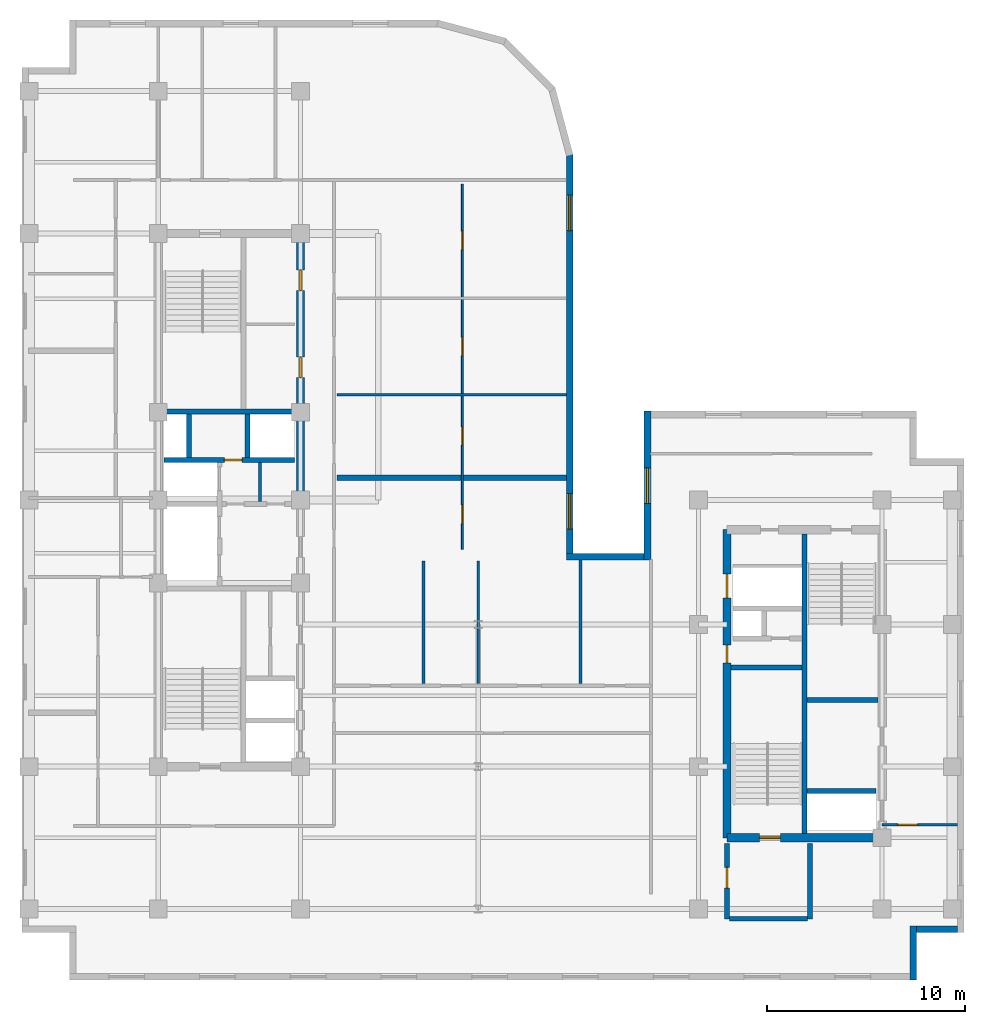
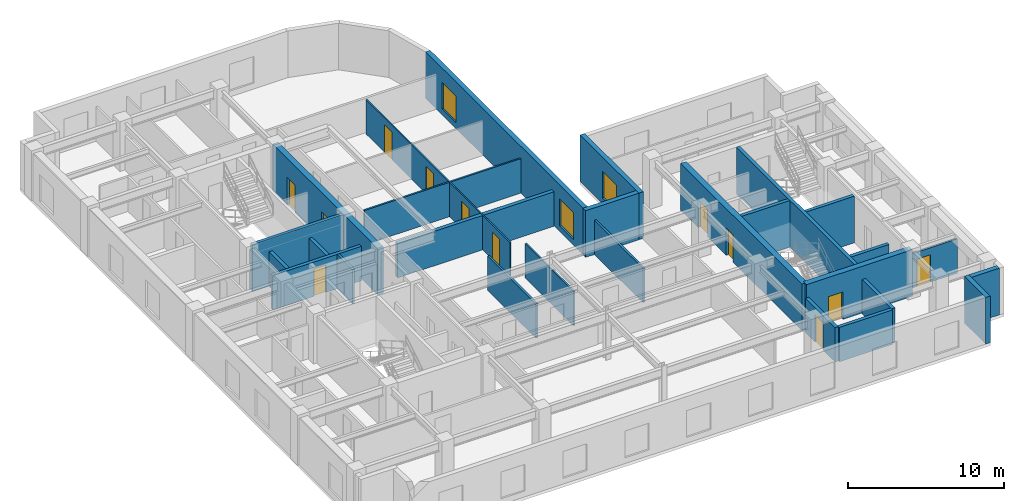
# One storey, part 5 of 10: 27 walls, 12 doors, 3 windows, 15 openings.
"""IFC4 building model written with IfcOpenShell, lengths in metres."""

import ifcopenshell
import ifcopenshell.guid

model = None  # the IFC model being written
_history = None  # IfcOwnerHistory: only IFC2X3 demands one
_inside = {}  # id of a spatial element -> (the spatial element, [elements in it])
_under = {}  # id of a project, library or spatial element -> (it, [spatial elements below it])
_declared = {}  # id of a project -> (the project, [libraries it declares])
_typed = {}  # id of a type object -> (the type object, [elements of that type])
_made_of = {}  # id of a material, layer set ... -> (it, [elements and type objects made of it])


def new_model(schema):
    """Start an empty IFC model of exactly this schema.

    Asked for "IFC4X3", IfcOpenShell would pick the latest addendum, in which some entities
    have other attributes; the version numbers below select the first issue.
    IFC2X3 requires an IfcOwnerHistory on every rooted entity: one is made here for all.
    """
    global model, _history
    if schema == "IFC4X3":
        model = ifcopenshell.file(schema_version=(4, 3, 0, 0))
    else:
        model = ifcopenshell.file(schema=schema)
    _inside.clear()
    _under.clear()
    _declared.clear()
    _typed.clear()
    _made_of.clear()
    _history = None
    if model.schema == "IFC2X3":
        org = make("IfcOrganization", Name="unknown")
        user = make(
            "IfcPersonAndOrganization",
            ThePerson=make("IfcPerson", FamilyName="unknown"),
            TheOrganization=org,
        )
        app = make(
            "IfcApplication",
            ApplicationDeveloper=org,
            Version="unknown",
            ApplicationFullName="unknown",
            ApplicationIdentifier="unknown",
        )
        _history = make(
            "IfcOwnerHistory",
            OwningUser=user,
            OwningApplication=app,
            ChangeAction="ADDED",
            CreationDate=0,
        )
    return model


def make(cls, **values):
    """One entity of the class cls with the attributes given. An attribute that is None is left unset."""
    return model.create_entity(
        cls, **{name: value for name, value in values.items() if value is not None}
    )


def entity(cls, *values):
    """Any entity or typed value of the class cls, its attributes in the order of the schema. None: left unset."""
    e = model.create_entity(cls)
    for i, value in enumerate(values):
        if value is not None:
            e[i] = value
    return e


def rooted(cls, **values):
    """An entity with a GlobalId (a new one), such as an element, a storey or a relation."""
    return make(cls, GlobalId=ifcopenshell.guid.new(), OwnerHistory=_history, **values)


def si_unit(unit_type, name, prefix=None):
    """IfcSIUnit, for example si_unit("LENGTHUNIT", "METRE", prefix="MILLI")."""
    return make("IfcSIUnit", UnitType=unit_type, Prefix=prefix, Name=name)


def converted_unit(unit_type, name, factor, base, dimensions=None, offset=None):
    """IfcConversionBasedUnit, such as the inch: factor (a typed value) times the base unit."""
    return make(
        "IfcConversionBasedUnit"
        if offset is None
        else "IfcConversionBasedUnitWithOffset",
        ConversionOffset=offset,
        Dimensions=None
        if dimensions is None
        else entity("IfcDimensionalExponents", *dimensions),
        UnitType=unit_type,
        Name=name,
        ConversionFactor=make(
            "IfcMeasureWithUnit", ValueComponent=factor, UnitComponent=base
        ),
    )


def assignment(units):
    """IfcUnitAssignment: the units of a project."""
    return None if units is None else make("IfcUnitAssignment", Units=units)


def point(xyz):
    """IfcCartesianPoint."""
    return None if xyz is None else make("IfcCartesianPoint", Coordinates=xyz)


def direction(xyz):
    """IfcDirection."""
    return None if xyz is None else make("IfcDirection", DirectionRatios=xyz)


def frame(location, z_axis=None, x_axis=None):
    """IfcAxis2Placement3D, a coordinate frame: its origin and axes. An axis left out is left unset."""
    return make(
        "IfcAxis2Placement3D",
        Location=point(location),
        Axis=direction(z_axis),
        RefDirection=direction(x_axis),
    )


def frame_2d(location, x_axis=None):
    """IfcAxis2Placement2D, a coordinate frame in the plane: its origin and x axis."""
    return make(
        "IfcAxis2Placement2D", Location=point(location), RefDirection=direction(x_axis)
    )


def origin_with_axes():
    """The frame at (0, 0, 0) with the z axis (0, 0, 1) and the x axis (1, 0, 0) written out."""
    return frame((0.0, 0.0, 0.0), z_axis=(0.0, 0.0, 1.0), x_axis=(1.0, 0.0, 0.0))


def origin_2d_with_axis():
    """The frame at (0, 0) in the plane with the x axis (1, 0) written out."""
    return frame_2d((0.0, 0.0), x_axis=(1.0, 0.0))


def place(relative_to, where):
    """IfcLocalPlacement: puts the frame where relative to a parent placement (None: the world)."""
    return make(
        "IfcLocalPlacement", PlacementRelTo=relative_to, RelativePlacement=where
    )


def context(
    kind, dimensions, precision=None, world=None, true_north=None, identifier=None
):
    """IfcGeometricRepresentationContext, for example the 3D "Model" context."""
    return make(
        "IfcGeometricRepresentationContext",
        ContextIdentifier=identifier,
        ContextType=kind,
        CoordinateSpaceDimension=dimensions,
        Precision=precision,
        WorldCoordinateSystem=world,
        TrueNorth=true_north,
    )


def subcontext(parent, identifier, kind, view, scale=None):
    """IfcGeometricRepresentationSubContext, for example "Body" below "Model"."""
    return make(
        "IfcGeometricRepresentationSubContext",
        ContextIdentifier=identifier,
        ContextType=kind,
        ParentContext=parent,
        TargetScale=scale,
        TargetView=view,
    )


def project(units=None, contexts=None):
    """IfcProject with its units and contexts."""
    return rooted(
        "IfcProject",
        Name="project",
        RepresentationContexts=contexts,
        UnitsInContext=assignment(units),
    )


def spatial(cls, under=None, at=None, **own):
    """A site, building, storey or space (cls), placed at a placement, below another one or the project."""
    s = rooted(cls, ObjectPlacement=at, **own)
    if under is not None:
        _under.setdefault(under.id(), (under, []))[1].append(s)
    return s


def polyline(points):
    """IfcPolyline through the points."""
    return make("IfcPolyline", Points=[point(p) for p in points])


def profile(cls, at=None, kind="AREA", **sizes):
    """A parametric profile (cls). Its sizes go by their IFC names, for example OverallWidth=200.0."""
    return make(cls, ProfileType=kind, Position=at, **sizes)


def rectangle(**sizes):
    """IfcRectangleProfileDef."""
    return profile("IfcRectangleProfileDef", **sizes)


def outline(outer, holes=None, kind="AREA"):
    """IfcArbitraryClosedProfileDef: a profile drawn as a closed curve; with holes, ...WithVoids."""
    if holes is None:
        return make("IfcArbitraryClosedProfileDef", ProfileType=kind, OuterCurve=outer)
    return make(
        "IfcArbitraryProfileDefWithVoids",
        ProfileType=kind,
        OuterCurve=outer,
        InnerCurves=holes,
    )


def extrude(swept, where, along, depth):
    """IfcExtrudedAreaSolid: the profile swept, set in the frame where, extruded along a direction by depth."""
    return make(
        "IfcExtrudedAreaSolid",
        SweptArea=swept,
        Position=where,
        ExtrudedDirection=direction(along),
        Depth=depth,
    )


def shape(context_of_items, identifier, shape_type, items):
    """IfcShapeRepresentation: the items that make up one representation, for example the "Body"."""
    return make(
        "IfcShapeRepresentation",
        ContextOfItems=context_of_items,
        RepresentationIdentifier=identifier,
        RepresentationType=shape_type,
        Items=items,
    )


def material(Name=None, Category=None):
    """IfcMaterial."""
    return make("IfcMaterial", Name=Name, Category=Category)


def layer(
    of_material, thickness, ventilated=None, Name=None, Category=None, Priority=None
):
    """IfcMaterialLayer: one layer of a wall or slab, of a material (None: an air gap)."""
    return make(
        "IfcMaterialLayer",
        Material=of_material,
        LayerThickness=thickness,
        IsVentilated=ventilated,
        Name=Name,
        Category=Category,
        Priority=Priority,
    )


def layer_set(layers, Name=None):
    """IfcMaterialLayerSet."""
    return make("IfcMaterialLayerSet", MaterialLayers=layers, LayerSetName=Name)


def made_of(thing, what):
    """Note that an element or type object is made of a material, layer set ...; save() writes the relation."""
    if what is not None:
        _made_of.setdefault(what.id(), (what, []))[1].append(thing)
    return thing


def type_object(cls, material=None, **own):
    """A type object (cls), such as IfcWallType, which elements share."""
    return made_of(rooted(cls, **own), material)


def element(
    cls,
    number,
    at=None,
    inside=None,
    cuts=None,
    type_object=None,
    material=None,
    context=None,
    identifier="Body",
    shape_type=None,
    held_by="IfcProductDefinitionShape",
    body=None,
    shapes=None,
    **own,
):
    """One element of the class cls, such as IfcWall. Its Tag is "e" and its number.

    at: its placement. inside: the storey or other place that contains it. cuts: it is an
    opening in that element (IfcRelVoidsElement). A single representation is given by context,
    identifier, shape_type and body (its items); several are given by shapes. held_by: the class
    of the entity that holds the representations. save() writes the other relations.
    """
    e = rooted(cls, Tag="e%d" % number, ObjectPlacement=at, **own)
    if body is not None:
        shapes = [shape(context, identifier, shape_type, body)]
    if shapes is not None:
        e.Representation = make(held_by, Representations=shapes)
    if inside is not None:
        _inside.setdefault(inside.id(), (inside, []))[1].append(e)
    if cuts is not None:
        rooted(
            "IfcRelVoidsElement", RelatingBuildingElement=cuts, RelatedOpeningElement=e
        )
    if type_object is not None:
        _typed.setdefault(type_object.id(), (type_object, []))[1].append(e)
    return made_of(e, material)


def fill(opening, filler):
    """IfcRelFillsElement: the door or window that sits in an opening."""
    return rooted(
        "IfcRelFillsElement",
        RelatingOpeningElement=opening,
        RelatedBuildingElement=filler,
    )


def aggregate(whole, parts):
    """IfcRelAggregates: a whole, such as a stair, and the parts it consists of."""
    return rooted("IfcRelAggregates", RelatingObject=whole, RelatedObjects=parts)


def save(model, path):
    """Write the relations noted so far, then the file.

    IfcRelAggregates (storeys below a building ...), IfcRelContainedInSpatialStructure (elements
    in a storey), IfcRelDefinesByType, IfcRelAssociatesMaterial and IfcRelDeclares: one each for
    every whole, place, type object, material and project.
    """
    for whole, parts in _under.values():
        aggregate(whole, parts)
    for where, things in _inside.values():
        rooted(
            "IfcRelContainedInSpatialStructure",
            RelatedElements=things,
            RelatingStructure=where,
        )
    for kind, things in _typed.values():
        rooted("IfcRelDefinesByType", RelatedObjects=things, RelatingType=kind)
    for what, things in _made_of.values():
        rooted("IfcRelAssociatesMaterial", RelatedObjects=things, RelatingMaterial=what)
    for by, libraries in _declared.values():
        rooted("IfcRelDeclares", RelatingContext=by, RelatedDefinitions=libraries)
    model.write(path)


model = new_model("IFC4")

# Units and contexts
model_context = context("Model", 3, precision=1e-05, world=origin_with_axes(), true_north=direction((0.0, 1.0)))
body_context = subcontext(model_context, "Body", "Model", "MODEL_VIEW")
ifc_project = project(units=[si_unit("LENGTHUNIT", "METRE"), si_unit("AREAUNIT", "SQUARE_METRE"), si_unit("VOLUMEUNIT", "CUBIC_METRE"), converted_unit("PLANEANGLEUNIT", "DEGREE", entity("IfcPlaneAngleMeasure", 0.017453292519943295), si_unit("PLANEANGLEUNIT", "RADIAN"), dimensions=[0, 0, 0, 0, 0, 0, 0]), si_unit("MASSUNIT", "GRAM", prefix="KILO"), si_unit("THERMODYNAMICTEMPERATUREUNIT", "KELVIN")], contexts=[model_context])

# Site, building, storey
site_placement = place(None, origin_with_axes())
site = spatial("IfcSite", under=ifc_project, at=site_placement, CompositionType="ELEMENT")
building_placement = place(site_placement, origin_with_axes())
building = spatial("IfcBuilding", under=site, at=building_placement, Name="Varnlund Millrace Tower", CompositionType="ELEMENT")
storey_placement = place(building_placement, frame((0.0, 0.0, 240.3), z_axis=(0.0, 0.0, 1.0), x_axis=(1.0, 0.0, 0.0)))
storey = spatial("IfcBuildingStorey", under=building, at=storey_placement, Name="L59", CompositionType="ELEMENT", Elevation=240.3)

# Wall, openings, doors
ifc_material_1 = material(Name="Concrete C60/75", Category="concrete")
ifc_layer_1 = layer(ifc_material_1, 0.42, Name="Concrete C60/75")
ifc_layer_set_1 = layer_set([ifc_layer_1], Name="Concrete C60/75")
wall_type_1 = type_object("IfcWallType", Name="Type-CoreWall-Shear-420-C60", PredefinedType="SHEAR", material=ifc_layer_set_1)
wall_1_placement = place(storey_placement, frame((18.6, 24.3, 0.0), z_axis=(0.0, 0.0, 1.0), x_axis=(0.0, 1.0, 0.0)))
wall_1 = element("IfcWall", 1, at=wall_1_placement, inside=storey, type_object=wall_type_1, Name="Type-CoreWall-Shear-420-C60", PredefinedType="SHEAR", context=body_context, shape_type="SweptSolid", body=[
    extrude(outline(polyline([(0.0, -0.21), (13.5, -0.21), (13.5, 0.21), (0.0, 0.21), (0.0, -0.21)])), origin_with_axes(), (0.0, 0.0, 1.0), 3.66),
])
opening_1_placement = place(wall_1_placement, frame((6.725, 0.0, 0.0), z_axis=(0.0, 0.0, 1.0), x_axis=(1.0, 0.0, 0.0)))
opening_1 = element("IfcOpeningElement", 2, at=opening_1_placement, cuts=wall_1, Name="Opening L59:DR-RECL-M1", PredefinedType="OPENING", context=body_context, shape_type="SweptSolid", body=[
    extrude(rectangle(XDim=1.05, YDim=0.44, at=origin_2d_with_axis()), origin_with_axes(), (0.0, 0.0, 1.0), 2.15),
])
opening_2_placement = place(wall_1_placement, frame((11.125, 0.0, 0.0), z_axis=(0.0, 0.0, 1.0), x_axis=(1.0, 0.0, 0.0)))
opening_2 = element("IfcOpeningElement", 3, at=opening_2_placement, cuts=wall_1, Name="Opening L59:DR-RECL-M2", PredefinedType="OPENING", context=body_context, shape_type="SweptSolid", body=[
    extrude(rectangle(XDim=1.05, YDim=0.44, at=origin_2d_with_axis()), origin_with_axes(), (0.0, 0.0, 1.0), 2.15),
])
ifc_material_2 = material(Name="Smoke-barrier hollow steel fire door", Category="steel")
door_type_1 = type_object("IfcDoorType", Name="Type-FireDoor-Lobby-1050X2150", OperationType="NOTDEFINED", PredefinedType="DOOR", material=ifc_material_2)
door_1_placement = place(wall_1_placement, frame((6.725, 0.0, 0.0), z_axis=(0.0, 0.0, 1.0), x_axis=(1.0, 0.0, 0.0)))
door_1 = element("IfcDoor", 4, at=door_1_placement, inside=storey, type_object=door_type_1, Name="Type-FireDoor-Lobby-1050X2150", OperationType="SINGLE_SWING_LEFT", OverallHeight=2.15, OverallWidth=1.05, PredefinedType="DOOR", context=body_context, shape_type="SweptSolid", body=[
    extrude(rectangle(XDim=1.05, YDim=0.09, at=origin_2d_with_axis()), origin_with_axes(), (0.0, 0.0, 1.0), 2.15),
])
fill(opening_1, door_1)
door_2_placement = place(wall_1_placement, frame((11.125, 0.0, 0.0), z_axis=(0.0, 0.0, 1.0), x_axis=(1.0, 0.0, 0.0)))
door_2 = element("IfcDoor", 5, at=door_2_placement, inside=storey, type_object=door_type_1, Name="Type-FireDoor-Lobby-1050X2150", OperationType="SINGLE_SWING_RIGHT", OverallHeight=2.15, OverallWidth=1.05, PredefinedType="DOOR", context=body_context, shape_type="SweptSolid", body=[
    extrude(rectangle(XDim=1.05, YDim=0.09, at=origin_2d_with_axis()), origin_with_axes(), (0.0, 0.0, 1.0), 2.15),
])
fill(opening_2, door_2)

wall_2_placement = place(storey_placement, frame((40.2, 7.2, 0.0), z_axis=(0.0, 0.0, 1.0), x_axis=(0.0, 1.0, 0.0)))
wall_2 = element("IfcWall", 6, at=wall_2_placement, inside=storey, type_object=wall_type_1, Name="Type-CoreWall-Shear-420-C60", PredefinedType="SHEAR", context=body_context, shape_type="SweptSolid", body=[
    extrude(outline(polyline([(0.0, -0.21), (15.6, -0.21), (15.6, 0.21), (0.0, 0.21), (0.0, -0.21)])), origin_with_axes(), (0.0, 0.0, 1.0), 3.66),
])
opening_3_placement = place(wall_2_placement, frame((12.75, 0.0, 0.0), z_axis=(0.0, 0.0, 1.0), x_axis=(1.0, 0.0, 0.0)))
opening_3 = element("IfcOpeningElement", 7, at=opening_3_placement, cuts=wall_2, Name="Opening L59:LD-SRV2", PredefinedType="OPENING", context=body_context, shape_type="SweptSolid", body=[
    extrude(rectangle(XDim=1.2, YDim=0.44, at=origin_2d_with_axis()), origin_with_axes(), (0.0, 0.0, 1.0), 2.15),
])
opening_4_placement = place(wall_2_placement, frame((9.3, 0.0, 0.0), z_axis=(0.0, 0.0, 1.0), x_axis=(1.0, 0.0, 0.0)))
opening_4 = element("IfcOpeningElement", 8, at=opening_4_placement, cuts=wall_2, Name="Opening L59:DR-CB-JAN", PredefinedType="OPENING", context=body_context, shape_type="SweptSolid", body=[
    extrude(rectangle(XDim=0.9, YDim=0.44, at=origin_2d_with_axis()), origin_with_axes(), (0.0, 0.0, 1.0), 2.15),
])
ifc_material_3 = material(Name="Fire-rated hollow steel service closet door", Category="steel")
door_type_2 = type_object("IfcDoorType", Name="Type-FireDoor-Closet-900X2150", OperationType="NOTDEFINED", PredefinedType="DOOR", material=ifc_material_3)
door_3_placement = place(wall_2_placement, frame((9.3, 0.0, 0.0), z_axis=(0.0, 0.0, 1.0), x_axis=(1.0, 0.0, 0.0)))
door_3 = element("IfcDoor", 9, at=door_3_placement, inside=storey, type_object=door_type_2, Name="Type-FireDoor-Closet-900X2150", OperationType="SINGLE_SWING_RIGHT", OverallHeight=2.15, OverallWidth=0.9, PredefinedType="DOOR", context=body_context, shape_type="SweptSolid", body=[
    extrude(rectangle(XDim=0.9, YDim=0.09, at=origin_2d_with_axis()), origin_with_axes(), (0.0, 0.0, 1.0), 2.15),
])
fill(opening_4, door_3)
ifc_material_4 = material(Name="Heavy-duty freight sliding landing door")
door_type_3 = type_object("IfcDoorType", Name="Type-LiftLandingDoor-Service-1200X2150", OperationType="NOTDEFINED", PredefinedType="DOOR", material=ifc_material_4)
door_4_placement = place(wall_2_placement, frame((12.75, 0.0, 0.0), z_axis=(0.0, 0.0, 1.0), x_axis=(1.0, 0.0, 0.0)))
door_4 = element("IfcDoor", 10, at=door_4_placement, inside=storey, type_object=door_type_3, Name="Type-LiftLandingDoor-Service-1200X2150", OperationType="DOUBLE_DOOR_SLIDING", OverallHeight=2.15, OverallWidth=1.2, PredefinedType="DOOR", context=body_context, shape_type="SweptSolid", body=[
    extrude(rectangle(XDim=1.2, YDim=0.09, at=origin_2d_with_axis()), origin_with_axes(), (0.0, 0.0, 1.0), 2.15),
])
fill(opening_3, door_4)

# Wall, opening, door
wall_3_placement = place(storey_placement, frame((40.2, 7.2, 0.0), z_axis=(0.0, 0.0, 1.0), x_axis=(1.0, 0.0, 0.0)))
wall_3 = element("IfcWall", 11, at=wall_3_placement, inside=storey, type_object=wall_type_1, Name="Type-CoreWall-Shear-420-C60", PredefinedType="SHEAR", context=body_context, shape_type="SweptSolid", body=[
    extrude(outline(polyline([(0.0, -0.21), (7.85, -0.21), (7.85, 0.21), (0.0, 0.21), (0.0, -0.21)])), origin_with_axes(), (0.0, 0.0, 1.0), 3.66),
])
opening_5_placement = place(wall_3_placement, frame((2.175, 0.0, 0.0), z_axis=(0.0, 0.0, 1.0), x_axis=(1.0, 0.0, 0.0)))
opening_5 = element("IfcOpeningElement", 12, at=opening_5_placement, cuts=wall_3, Name="Opening L59:DR-STB1", PredefinedType="OPENING", context=body_context, shape_type="SweptSolid", body=[
    extrude(rectangle(XDim=1.05, YDim=0.44, at=origin_2d_with_axis()), origin_with_axes(), (0.0, 0.0, 1.0), 2.15),
])
ifc_material_5 = material(Name="Fire-rated hollow steel door", Category="steel")
door_type_4 = type_object("IfcDoorType", Name="Type-FireDoor-Stair-1050X2150", OperationType="NOTDEFINED", PredefinedType="DOOR", material=ifc_material_5)
door_5_placement = place(wall_3_placement, frame((2.175, 0.0, 0.0), z_axis=(0.0, 0.0, 1.0), x_axis=(1.0, 0.0, 0.0)))
door_5 = element("IfcDoor", 13, at=door_5_placement, inside=storey, type_object=door_type_4, Name="Type-FireDoor-Stair-1050X2150", OperationType="SINGLE_SWING_LEFT", OverallHeight=2.15, OverallWidth=1.05, PredefinedType="DOOR", context=body_context, shape_type="SweptSolid", body=[
    extrude(rectangle(XDim=1.05, YDim=0.09, at=origin_2d_with_axis()), origin_with_axes(), (0.0, 0.0, 1.0), 2.15),
])
fill(opening_5, door_5)

# Wall, opening, window
ifc_material_6 = material(Name="Precast concrete C50/60", Category="concrete")
ifc_layer_2 = layer(ifc_material_6, 0.34, Name="Precast concrete C50/60")
ifc_layer_set_2 = layer_set([ifc_layer_2], Name="Precast concrete C50/60")
wall_type_2 = type_object("IfcWallType", Name="Type-ExtWall-Precast-Upper-340", PredefinedType="SOLIDWALL", material=ifc_layer_set_2)
wall_4_placement = place(storey_placement, frame((36.17, 21.26, 0.0), z_axis=(0.0, 0.0, 1.0), x_axis=(0.0, 1.0, 0.0)))
wall_4 = element("IfcWall", 14, at=wall_4_placement, inside=storey, type_object=wall_type_2, Name="Type-ExtWall-Precast-Upper-340", PredefinedType="SOLIDWALL", context=body_context, shape_type="SweptSolid", body=[
    extrude(outline(polyline([(0.0, -0.17), (7.54, -0.17), (7.54, 0.17), (0.0, 0.17), (0.0, -0.17)])), origin_with_axes(), (0.0, 0.0, 1.0), 3.66),
])
opening_6_placement = place(wall_4_placement, frame((3.77, 0.0, 0.45), z_axis=(0.0, 0.0, 1.0), x_axis=(1.0, 0.0, 0.0)))
opening_6 = element("IfcOpeningElement", 15, at=opening_6_placement, cuts=wall_4, Name="Opening L59:WN-01", PredefinedType="OPENING", context=body_context, shape_type="SweptSolid", body=[
    extrude(rectangle(XDim=1.8, YDim=0.36, at=origin_2d_with_axis()), origin_with_axes(), (0.0, 0.0, 1.0), 2.1),
])
ifc_material_7 = material(Name="Argon low-e triple glazing in thermally broken bronze frame", Category="glass")
window_type = type_object("IfcWindowType", Name="Type-Window-Punched-1800X2100", PartitioningType="SINGLE_PANEL", PredefinedType="WINDOW", material=ifc_material_7)
window_1_placement = place(wall_4_placement, frame((3.77, 0.0, 0.45), z_axis=(0.0, 0.0, 1.0), x_axis=(1.0, 0.0, 0.0)))
window_1 = element("IfcWindow", 16, at=window_1_placement, inside=storey, type_object=window_type, Name="Type-Window-Punched-1800X2100", OverallHeight=2.1, OverallWidth=1.8, PredefinedType="WINDOW", context=body_context, shape_type="SweptSolid", body=[
    extrude(rectangle(XDim=1.8, YDim=0.09, at=origin_2d_with_axis()), origin_with_axes(), (0.0, 0.0, 1.0), 2.1),
])
fill(opening_6, window_1)

# Walls
wall_5_placement = place(storey_placement, frame((51.86, 2.57, 0.0), z_axis=(0.0, 0.0, 1.0), x_axis=(-1.0, 0.0, 0.0)))
element("IfcWall", 17, at=wall_5_placement, inside=storey, type_object=wall_type_2, Name="Type-ExtWall-Precast-Upper-340", PredefinedType="SOLIDWALL", context=body_context, shape_type="SweptSolid", body=[
    extrude(outline(polyline([(0.0, -0.17), (2.06, -0.17), (2.06, 0.17), (0.0, 0.17), (0.0, -0.17)])), origin_with_axes(), (0.0, 0.0, 1.0), 3.66),
])
wall_6_placement = place(storey_placement, frame((49.63, 2.74, 0.0), z_axis=(0.0, 0.0, 1.0), x_axis=(0.0, -1.0, 0.0)))
element("IfcWall", 18, at=wall_6_placement, inside=storey, type_object=wall_type_2, Name="Type-ExtWall-Precast-Upper-340", PredefinedType="SOLIDWALL", context=body_context, shape_type="SweptSolid", body=[
    extrude(outline(polyline([(0.0, -0.17), (2.74, -0.17), (2.74, 0.17), (0.0, 0.17), (0.0, -0.17)])), origin_with_axes(), (0.0, 0.0, 1.0), 3.66),
])

# Wall, openings, windows
wall_7_placement = place(storey_placement, frame((32.23, 41.82, 0.0), z_axis=(0.0, 0.0, 1.0), x_axis=(0.0, -1.0, 0.0)))
wall_7 = element("IfcWall", 19, at=wall_7_placement, inside=storey, type_object=wall_type_2, Name="Type-ExtWall-Precast-Upper-340", PredefinedType="SOLIDWALL", context=body_context, shape_type="SweptSolid", body=[
    extrude(outline(polyline([(0.0, -0.17), (20.22, -0.17), (20.22, 0.17), (0.0, 0.17), (0.0, -0.17)])), origin_with_axes(), (0.0, 0.0, 1.0), 3.66),
])
opening_7_placement = place(wall_7_placement, frame((2.978, 0.0, 0.45), z_axis=(0.0, 0.0, 1.0), x_axis=(1.0, 0.0, 0.0)))
opening_7 = element("IfcOpeningElement", 20, at=opening_7_placement, cuts=wall_7, Name="Opening L59:WN-25", PredefinedType="OPENING", context=body_context, shape_type="SweptSolid", body=[
    extrude(rectangle(XDim=1.8, YDim=0.36, at=origin_2d_with_axis()), origin_with_axes(), (0.0, 0.0, 1.0), 2.1),
])
opening_8_placement = place(wall_7_placement, frame((18.093, 0.0, 0.45), z_axis=(0.0, 0.0, 1.0), x_axis=(1.0, 0.0, 0.0)))
opening_8 = element("IfcOpeningElement", 21, at=opening_8_placement, cuts=wall_7, Name="Opening L59:WN-26", PredefinedType="OPENING", context=body_context, shape_type="SweptSolid", body=[
    extrude(rectangle(XDim=1.8, YDim=0.36, at=origin_2d_with_axis()), origin_with_axes(), (0.0, 0.0, 1.0), 2.1),
])
window_2_placement = place(wall_7_placement, frame((2.978, 0.0, 0.45), z_axis=(0.0, 0.0, 1.0), x_axis=(1.0, 0.0, 0.0)))
window_2 = element("IfcWindow", 22, at=window_2_placement, inside=storey, type_object=window_type, Name="Type-Window-Punched-1800X2100", OverallHeight=2.1, OverallWidth=1.8, PredefinedType="WINDOW", context=body_context, shape_type="SweptSolid", body=[
    extrude(rectangle(XDim=1.8, YDim=0.09, at=origin_2d_with_axis()), origin_with_axes(), (0.0, 0.0, 1.0), 2.1),
])
fill(opening_7, window_2)
window_3_placement = place(wall_7_placement, frame((18.093, 0.0, 0.45), z_axis=(0.0, 0.0, 1.0), x_axis=(1.0, 0.0, 0.0)))
window_3 = element("IfcWindow", 23, at=window_3_placement, inside=storey, type_object=window_type, Name="Type-Window-Punched-1800X2100", OverallHeight=2.1, OverallWidth=1.8, PredefinedType="WINDOW", context=body_context, shape_type="SweptSolid", body=[
    extrude(rectangle(XDim=1.8, YDim=0.09, at=origin_2d_with_axis()), origin_with_axes(), (0.0, 0.0, 1.0), 2.1),
])
fill(opening_8, window_3)

# Walls
wall_8_placement = place(storey_placement, frame((32.06, 21.43, 0.0), z_axis=(0.0, 0.0, 1.0), x_axis=(1.0, 0.0, 0.0)))
element("IfcWall", 24, at=wall_8_placement, inside=storey, type_object=wall_type_2, Name="Type-ExtWall-Precast-Upper-340", PredefinedType="SOLIDWALL", context=body_context, shape_type="SweptSolid", body=[
    extrude(outline(polyline([(0.0, -0.17), (3.94, -0.17), (3.94, 0.17), (0.0, 0.17), (0.0, -0.17)])), origin_with_axes(), (0.0, 0.0, 1.0), 3.66),
])
ifc_material_8 = material(Name="Double-stud STC-60 conference acoustic partition", Category="gypsum")
ifc_layer_3 = layer(ifc_material_8, 0.28, Name="Double-stud STC-60 conference acoustic partition")
ifc_layer_set_3 = layer_set([ifc_layer_3], Name="Double-stud STC-60 conference acoustic partition")
wall_type_3 = type_object("IfcWallType", Name="Type-Partition-Acoustic-280", PredefinedType="PARTITIONING", material=ifc_layer_set_3)
wall_9_placement = place(storey_placement, frame((20.45, 25.44, 0.0), z_axis=(0.0, 0.0, 1.0), x_axis=(1.0, 0.0, 0.0)))
element("IfcWall", 25, at=wall_9_placement, inside=storey, type_object=wall_type_3, Name="Type-Partition-Acoustic-280", PredefinedType="PARTITIONING", context=body_context, shape_type="SweptSolid", body=[
    extrude(outline(polyline([(0.0, -0.14), (11.615, -0.14), (11.615, 0.14), (0.0, 0.14), (0.0, -0.14)])), origin_with_axes(), (0.0, 0.0, 1.0), 2.7),
])
ifc_material_9 = material(Name="Fire-rated gypsum board on cold-formed steel framing", Category="steel")
ifc_layer_4 = layer(ifc_material_9, 0.16, Name="Fire-rated gypsum board on cold-formed steel framing")
ifc_layer_set_4 = layer_set([ifc_layer_4], Name="Fire-rated gypsum board on cold-formed steel framing")
wall_type_4 = type_object("IfcWallType", Name="Type-Partition-Corridor-160", PredefinedType="PARTITIONING", material=ifc_layer_set_4)
wall_10_placement = place(storey_placement, frame((16.55, 24.22, 0.0), z_axis=(0.0, 0.0, 1.0), x_axis=(0.0, 1.0, 0.0)))
element("IfcWall", 26, at=wall_10_placement, inside=storey, type_object=wall_type_4, Name="Type-Partition-Corridor-160", PredefinedType="PARTITIONING", context=body_context, shape_type="SweptSolid", body=[
    extrude(outline(polyline([(0.0, -0.08), (1.98, -0.08), (1.98, 0.08), (0.0, 0.08), (0.0, -0.08)])), origin_with_axes(), (0.0, 0.0, 1.0), 2.7),
])
ifc_material_10 = material(Name="Acoustic STC-50 gypsum board partition", Category="gypsum")
ifc_layer_5 = layer(ifc_material_10, 0.15, Name="Acoustic STC-50 gypsum board partition")
ifc_layer_set_5 = layer_set([ifc_layer_5], Name="Acoustic STC-50 gypsum board partition")
wall_type_5 = type_object("IfcWallType", Name="Type-Partition-Demising-150", PredefinedType="PARTITIONING", material=ifc_layer_set_5)
wall_11_placement = place(storey_placement, frame((24.836, 15.02, 0.0), z_axis=(0.0, 0.0, 1.0), x_axis=(0.0, 1.0, 0.0)))
element("IfcWall", 27, at=wall_11_placement, inside=storey, type_object=wall_type_5, Name="Type-Partition-Demising-150", PredefinedType="PARTITIONING", context=body_context, shape_type="SweptSolid", body=[
    extrude(outline(polyline([(0.0, -0.075), (6.2, -0.075), (6.2, 0.075), (0.0, 0.075), (0.0, -0.075)])), origin_with_axes(), (0.0, 0.0, 1.0), 2.7),
])
wall_12_placement = place(storey_placement, frame((32.78, 15.02, 0.0), z_axis=(0.0, 0.0, 1.0), x_axis=(0.0, 1.0, 0.0)))
element("IfcWall", 28, at=wall_12_placement, inside=storey, type_object=wall_type_5, Name="Type-Partition-Demising-150", PredefinedType="PARTITIONING", context=body_context, shape_type="SweptSolid", body=[
    extrude(outline(polyline([(0.0, -0.075), (6.245, -0.075), (6.245, 0.075), (0.0, 0.075), (0.0, -0.075)])), origin_with_axes(), (0.0, 0.0, 1.0), 2.7),
])

# Wall, openings, doors
ifc_material_11 = material(Name="Architectural bronze and acoustic glass office front", Category="glass")
ifc_layer_6 = layer(ifc_material_11, 0.1, Name="Architectural bronze and acoustic glass office front")
ifc_layer_set_6 = layer_set([ifc_layer_6], Name="Architectural bronze and acoustic glass office front")
wall_type_6 = type_object("IfcWallType", Name="Type-Partition-Glazed-100", PredefinedType="PARTITIONING", material=ifc_layer_set_6)
wall_13_placement = place(storey_placement, frame((26.8, 21.8, 0.0), z_axis=(0.0, 0.0, 1.0), x_axis=(0.0, 1.0, 0.0)))
wall_13 = element("IfcWall", 29, at=wall_13_placement, inside=storey, type_object=wall_type_6, Name="Type-Partition-Glazed-100", PredefinedType="PARTITIONING", context=body_context, shape_type="SweptSolid", body=[
    extrude(outline(polyline([(0.0, -0.05), (18.5, -0.05), (18.5, 0.05), (0.0, 0.05), (0.0, -0.05)])), origin_with_axes(), (0.0, 0.0, 1.0), 2.7),
])
opening_9_placement = place(wall_13_placement, frame((1.785, 0.0, 0.0), z_axis=(0.0, 0.0, 1.0), x_axis=(1.0, 0.0, 0.0)))
opening_9 = element("IfcOpeningElement", 30, at=opening_9_placement, cuts=wall_13, Name="Opening L59:DR-FLR-S01", PredefinedType="OPENING", context=body_context, shape_type="SweptSolid", body=[
    extrude(rectangle(XDim=0.95, YDim=0.12, at=origin_2d_with_axis()), origin_with_axes(), (0.0, 0.0, 1.0), 2.15),
])
opening_10_placement = place(wall_13_placement, frame((5.7395, 0.0, 0.0), z_axis=(0.0, 0.0, 1.0), x_axis=(1.0, 0.0, 0.0)))
opening_10 = element("IfcOpeningElement", 31, at=opening_10_placement, cuts=wall_13, Name="Opening L59:DR-FLR-S02", PredefinedType="OPENING", context=body_context, shape_type="SweptSolid", body=[
    extrude(rectangle(XDim=0.95, YDim=0.12, at=origin_2d_with_axis()), origin_with_axes(), (0.0, 0.0, 1.0), 2.15),
])
opening_11_placement = place(wall_13_placement, frame((10.2755, 0.0, 0.0), z_axis=(0.0, 0.0, 1.0), x_axis=(1.0, 0.0, 0.0)))
opening_11 = element("IfcOpeningElement", 32, at=opening_11_placement, cuts=wall_13, Name="Opening L59:DR-FLR-S03", PredefinedType="OPENING", context=body_context, shape_type="SweptSolid", body=[
    extrude(rectangle(XDim=0.95, YDim=0.12, at=origin_2d_with_axis()), origin_with_axes(), (0.0, 0.0, 1.0), 2.15),
])
opening_12_placement = place(wall_13_placement, frame((15.641, 0.0, 0.0), z_axis=(0.0, 0.0, 1.0), x_axis=(1.0, 0.0, 0.0)))
opening_12 = element("IfcOpeningElement", 33, at=opening_12_placement, cuts=wall_13, Name="Opening L59:DR-FLR-S04", PredefinedType="OPENING", context=body_context, shape_type="SweptSolid", body=[
    extrude(rectangle(XDim=0.95, YDim=0.12, at=origin_2d_with_axis()), origin_with_axes(), (0.0, 0.0, 1.0), 2.15),
])
ifc_material_12 = material(Name="Solid-core acoustic office door")
door_type_5 = type_object("IfcDoorType", Name="Type-IntDoor-Tenant-950X2150", OperationType="NOTDEFINED", PredefinedType="DOOR", material=ifc_material_12)
door_6_placement = place(wall_13_placement, frame((1.785, 0.0, 0.0), z_axis=(0.0, 0.0, 1.0), x_axis=(1.0, 0.0, 0.0)))
door_6 = element("IfcDoor", 34, at=door_6_placement, inside=storey, type_object=door_type_5, Name="Type-IntDoor-Tenant-950X2150", OperationType="SINGLE_SWING_LEFT", OverallHeight=2.15, OverallWidth=0.95, PredefinedType="DOOR", context=body_context, shape_type="SweptSolid", body=[
    extrude(rectangle(XDim=0.95, YDim=0.06, at=origin_2d_with_axis()), origin_with_axes(), (0.0, 0.0, 1.0), 2.15),
])
fill(opening_9, door_6)
door_7_placement = place(wall_13_placement, frame((5.7395, 0.0, 0.0), z_axis=(0.0, 0.0, 1.0), x_axis=(1.0, 0.0, 0.0)))
door_7 = element("IfcDoor", 35, at=door_7_placement, inside=storey, type_object=door_type_5, Name="Type-IntDoor-Tenant-950X2150", OperationType="SINGLE_SWING_LEFT", OverallHeight=2.15, OverallWidth=0.95, PredefinedType="DOOR", context=body_context, shape_type="SweptSolid", body=[
    extrude(rectangle(XDim=0.95, YDim=0.06, at=origin_2d_with_axis()), origin_with_axes(), (0.0, 0.0, 1.0), 2.15),
])
fill(opening_10, door_7)
door_8_placement = place(wall_13_placement, frame((10.2755, 0.0, 0.0), z_axis=(0.0, 0.0, 1.0), x_axis=(1.0, 0.0, 0.0)))
door_8 = element("IfcDoor", 36, at=door_8_placement, inside=storey, type_object=door_type_5, Name="Type-IntDoor-Tenant-950X2150", OperationType="SINGLE_SWING_LEFT", OverallHeight=2.15, OverallWidth=0.95, PredefinedType="DOOR", context=body_context, shape_type="SweptSolid", body=[
    extrude(rectangle(XDim=0.95, YDim=0.06, at=origin_2d_with_axis()), origin_with_axes(), (0.0, 0.0, 1.0), 2.15),
])
fill(opening_11, door_8)
door_9_placement = place(wall_13_placement, frame((15.641, 0.0, 0.0), z_axis=(0.0, 0.0, 1.0), x_axis=(1.0, 0.0, 0.0)))
door_9 = element("IfcDoor", 37, at=door_9_placement, inside=storey, type_object=door_type_5, Name="Type-IntDoor-Tenant-950X2150", OperationType="SINGLE_SWING_LEFT", OverallHeight=2.15, OverallWidth=0.95, PredefinedType="DOOR", context=body_context, shape_type="SweptSolid", body=[
    extrude(rectangle(XDim=0.95, YDim=0.06, at=origin_2d_with_axis()), origin_with_axes(), (0.0, 0.0, 1.0), 2.15),
])
fill(opening_12, door_9)

# Walls
ifc_material_13 = material(Name="Gypsum board tenant partition", Category="gypsum")
ifc_layer_7 = layer(ifc_material_13, 0.125, Name="Gypsum board tenant partition")
ifc_layer_set_7 = layer_set([ifc_layer_7], Name="Gypsum board tenant partition")
wall_type_7 = type_object("IfcWallType", Name="Type-Partition-Tenant-125", PredefinedType="PARTITIONING", material=ifc_layer_set_7)
wall_14_placement = place(storey_placement, frame((20.45, 29.639, 0.0), z_axis=(0.0, 0.0, 1.0), x_axis=(1.0, 0.0, 0.0)))
element("IfcWall", 38, at=wall_14_placement, inside=storey, type_object=wall_type_7, Name="Type-Partition-Tenant-125", PredefinedType="PARTITIONING", context=body_context, shape_type="SweptSolid", body=[
    extrude(outline(polyline([(0.0, -0.0625), (11.615, -0.0625), (11.615, 0.0625), (0.0, 0.0625), (0.0, -0.0625)])), origin_with_axes(), (0.0, 0.0, 1.0), 2.7),
])
wall_15_placement = place(storey_placement, frame((27.6, 15.02, 0.0), z_axis=(0.0, 0.0, 1.0), x_axis=(0.0, 1.0, 0.0)))
element("IfcWall", 39, at=wall_15_placement, inside=storey, type_object=wall_type_7, Name="Type-Partition-Tenant-125", PredefinedType="PARTITIONING", context=body_context, shape_type="SweptSolid", body=[
    extrude(outline(polyline([(0.0, -0.0625), (6.2, -0.0625), (6.2, 0.0625), (0.0, 0.0625), (0.0, -0.0625)])), origin_with_axes(), (0.0, 0.0, 1.0), 2.7),
])

# Wall, opening, door
wall_16_placement = place(storey_placement, frame((51.865, 7.85, 0.0), z_axis=(0.0, 0.0, 1.0), x_axis=(-1.0, 0.0, 0.0)))
wall_16 = element("IfcWall", 40, at=wall_16_placement, inside=storey, type_object=wall_type_7, Name="Type-Partition-Tenant-125", PredefinedType="PARTITIONING", context=body_context, shape_type="SweptSolid", body=[
    extrude(outline(polyline([(0.0, -0.0625), (3.815, -0.0625), (3.815, 0.0625), (0.0, 0.0625), (0.0, -0.0625)])), origin_with_axes(), (0.0, 0.0, 1.0), 2.7),
])
opening_13_placement = place(wall_16_placement, frame((2.515, 0.0, 0.0), z_axis=(0.0, 0.0, 1.0), x_axis=(1.0, 0.0, 0.0)))
opening_13 = element("IfcOpeningElement", 41, at=opening_13_placement, cuts=wall_16, Name="Opening L59:DR-WBS-01", PredefinedType="OPENING", context=body_context, shape_type="SweptSolid", body=[
    extrude(rectangle(XDim=1.0, YDim=0.145, at=origin_2d_with_axis()), origin_with_axes(), (0.0, 0.0, 1.0), 2.15),
])
ifc_material_14 = material(Name="Solid-core white oak and bronze frame door")
door_type_6 = type_object("IfcDoorType", Name="Type-IntDoor-Office-1000X2150", OperationType="NOTDEFINED", PredefinedType="DOOR", material=ifc_material_14)
door_10_placement = place(wall_16_placement, frame((2.515, 0.0, 0.0), z_axis=(0.0, 0.0, 1.0), x_axis=(1.0, 0.0, 0.0)))
door_10 = element("IfcDoor", 42, at=door_10_placement, inside=storey, type_object=door_type_6, Name="Type-IntDoor-Office-1000X2150", OperationType="SINGLE_SWING_LEFT", OverallHeight=2.15, OverallWidth=1.0, PredefinedType="DOOR", context=body_context, shape_type="SweptSolid", body=[
    extrude(rectangle(XDim=1.0, YDim=0.075, at=origin_2d_with_axis()), origin_with_axes(), (0.0, 0.0, 1.0), 2.15),
])
fill(opening_13, door_10)

ifc_layer_8 = layer(ifc_material_1, 0.25, Name="Concrete C60/75")
ifc_layer_set_8 = layer_set([ifc_layer_8], Name="Concrete C60/75")
wall_type_8 = type_object("IfcWallType", Name="Type-ShaftWall-Fire-250", PredefinedType="SOLIDWALL", material=ifc_layer_set_8)
wall_17_placement = place(storey_placement, frame((11.7, 26.325, 0.0), z_axis=(0.0, 0.0, 1.0), x_axis=(1.0, 0.0, 0.0)))
wall_17 = element("IfcWall", 43, at=wall_17_placement, inside=storey, type_object=wall_type_8, Name="Type-ShaftWall-Fire-250", PredefinedType="SOLIDWALL", context=body_context, shape_type="SweptSolid", body=[
    extrude(outline(polyline([(0.0, -0.125), (6.6, -0.125), (6.6, 0.125), (0.0, 0.125), (0.0, -0.125)])), origin_with_axes(), (0.0, 0.0, 1.0), 2.7),
])
opening_14_placement = place(wall_17_placement, frame((3.5, 0.0, 0.0), z_axis=(0.0, 0.0, 1.0), x_axis=(1.0, 0.0, 0.0)))
opening_14 = element("IfcOpeningElement", 44, at=opening_14_placement, cuts=wall_17, Name="Opening L59:DR-CA-ELC", PredefinedType="OPENING", context=body_context, shape_type="SweptSolid", body=[
    extrude(rectangle(XDim=0.9, YDim=0.27, at=origin_2d_with_axis()), origin_with_axes(), (0.0, 0.0, 1.0), 2.15),
])
door_11_placement = place(wall_17_placement, frame((3.5, 0.0, 0.0), z_axis=(0.0, 0.0, 1.0), x_axis=(1.0, 0.0, 0.0)))
door_11 = element("IfcDoor", 45, at=door_11_placement, inside=storey, type_object=door_type_2, Name="Type-FireDoor-Closet-900X2150", OperationType="SINGLE_SWING_LEFT", OverallHeight=2.15, OverallWidth=0.9, PredefinedType="DOOR", context=body_context, shape_type="SweptSolid", body=[
    extrude(rectangle(XDim=0.9, YDim=0.09, at=origin_2d_with_axis()), origin_with_axes(), (0.0, 0.0, 1.0), 2.15),
])
fill(opening_14, door_11)

# Walls
for number, where, z_axis, x_axis, name in (
    (46, (12.96, 26.45, 0.0), (0.0, 0.0, 1.0), (0.0, 1.0, 0.0), "Type-ShaftWall-Fire-250"),
    (47, (15.925, 26.45, 0.0), (0.0, 0.0, 1.0), (0.0, 1.0, 0.0), "Type-ShaftWall-Fire-250"),
):
    element("IfcWall", number, at=place(storey_placement, frame(where, z_axis=z_axis, x_axis=x_axis)), inside=storey, type_object=wall_type_8, Name=name, PredefinedType="SOLIDWALL", context=body_context, shape_type="SweptSolid", body=[
        extrude(outline(polyline([(0.0, -0.125), (2.2, -0.125), (2.2, 0.125), (0.0, 0.125), (0.0, -0.125)])), origin_with_axes(), (0.0, 0.0, 1.0), 2.7),
    ])

# Wall, opening, door
wall_18_placement = place(storey_placement, frame((40.2, 3.1, 0.0), z_axis=(0.0, 0.0, 1.0), x_axis=(0.0, 1.0, 0.0)))
wall_18 = element("IfcWall", 48, at=wall_18_placement, inside=storey, type_object=wall_type_8, Name="Type-ShaftWall-Fire-250", PredefinedType="SOLIDWALL", context=body_context, shape_type="SweptSolid", body=[
    extrude(outline(polyline([(0.0, -0.125), (3.8, -0.125), (3.8, 0.125), (0.0, 0.125), (0.0, -0.125)])), origin_with_axes(), (0.0, 0.0, 1.0), 2.7),
])
opening_15_placement = place(wall_18_placement, frame((2.075, 0.0, 0.0), z_axis=(0.0, 0.0, 1.0), x_axis=(1.0, 0.0, 0.0)))
opening_15 = element("IfcOpeningElement", 49, at=opening_15_placement, cuts=wall_18, Name="Opening L59:DR-FFLOB-B", PredefinedType="OPENING", context=body_context, shape_type="SweptSolid", body=[
    extrude(rectangle(XDim=1.05, YDim=0.27, at=origin_2d_with_axis()), origin_with_axes(), (0.0, 0.0, 1.0), 2.15),
])
door_12_placement = place(wall_18_placement, frame((2.075, 0.0, 0.0), z_axis=(0.0, 0.0, 1.0), x_axis=(1.0, 0.0, 0.0)))
door_12 = element("IfcDoor", 50, at=door_12_placement, inside=storey, type_object=door_type_1, Name="Type-FireDoor-Lobby-1050X2150", OperationType="SINGLE_SWING_LEFT", OverallHeight=2.15, OverallWidth=1.05, PredefinedType="DOOR", context=body_context, shape_type="SweptSolid", body=[
    extrude(rectangle(XDim=1.05, YDim=0.09, at=origin_2d_with_axis()), origin_with_axes(), (0.0, 0.0, 1.0), 2.15),
])
fill(opening_15, door_12)

# Walls
wall_19_placement = place(storey_placement, frame((40.325, 3.1, 0.0), z_axis=(0.0, 0.0, 1.0), x_axis=(1.0, 0.0, 0.0)))
element("IfcWall", 51, at=wall_19_placement, inside=storey, type_object=wall_type_8, Name="Type-ShaftWall-Fire-250", PredefinedType="SOLIDWALL", context=body_context, shape_type="SweptSolid", body=[
    extrude(outline(polyline([(0.0, -0.125), (3.95, -0.125), (3.95, 0.125), (0.0, 0.125), (0.0, -0.125)])), origin_with_axes(), (0.0, 0.0, 1.0), 2.7),
])
wall_20_placement = place(storey_placement, frame((44.4, 3.1, 0.0), z_axis=(0.0, 0.0, 1.0), x_axis=(0.0, 1.0, 0.0)))
element("IfcWall", 52, at=wall_20_placement, inside=storey, type_object=wall_type_8, Name="Type-ShaftWall-Fire-250", PredefinedType="SOLIDWALL", context=body_context, shape_type="SweptSolid", body=[
    extrude(outline(polyline([(0.0, -0.125), (3.8, -0.125), (3.8, 0.125), (0.0, 0.125), (0.0, -0.125)])), origin_with_axes(), (0.0, 0.0, 1.0), 2.7),
])
wall_21_placement = place(storey_placement, frame((44.25, 9.56, 0.0), z_axis=(0.0, 0.0, 1.0), x_axis=(1.0, 0.0, 0.0)))
element("IfcWall", 53, at=wall_21_placement, inside=storey, type_object=wall_type_8, Name="Type-ShaftWall-Fire-250", PredefinedType="SOLIDWALL", context=body_context, shape_type="SweptSolid", body=[
    extrude(outline(polyline([(0.0, -0.125), (3.5, -0.125), (3.5, 0.125), (0.0, 0.125), (0.0, -0.125)])), origin_with_axes(), (0.0, 0.0, 1.0), 2.7),
])
wall_type_9 = type_object("IfcWallType", Name="Type-StairWall-Shear-250", PredefinedType="SHEAR", material=ifc_layer_set_8)
wall_22_placement = place(storey_placement, frame((11.61, 28.775, 0.0), z_axis=(0.0, 0.0, 1.0), x_axis=(1.0, 0.0, 0.0)))
element("IfcWall", 54, at=wall_22_placement, inside=storey, type_object=wall_type_9, Name="Type-StairWall-Shear-250", PredefinedType="SHEAR", context=body_context, shape_type="SweptSolid", body=[
    extrude(outline(polyline([(0.0, -0.125), (6.78, -0.125), (6.78, 0.125), (0.0, 0.125), (0.0, -0.125)])), origin_with_axes(), (0.0, 0.0, 1.0), 3.66),
])
wall_23_placement = place(storey_placement, frame((44.125, 7.41, 0.0), z_axis=(0.0, 0.0, 1.0), x_axis=(0.0, 1.0, 0.0)))
element("IfcWall", 55, at=wall_23_placement, inside=storey, type_object=wall_type_9, Name="Type-StairWall-Shear-250", PredefinedType="SHEAR", context=body_context, shape_type="SweptSolid", body=[
    extrude(outline(polyline([(0.0, -0.125), (15.18, -0.125), (15.18, 0.125), (0.0, 0.125), (0.0, -0.125)])), origin_with_axes(), (0.0, 0.0, 1.0), 3.66),
])
for number, where, z_axis, x_axis, name in (
    (56, (40.41, 15.825, 0.0), (0.0, 0.0, 1.0), (1.0, 0.0, 0.0), "Type-StairWall-Shear-250"),
    (57, (44.25, 14.175, 0.0), (0.0, 0.0, 1.0), (1.0, 0.0, 0.0), "Type-StairWall-Shear-250"),
):
    element("IfcWall", number, at=place(storey_placement, frame(where, z_axis=z_axis, x_axis=x_axis)), inside=storey, type_object=wall_type_9, Name=name, PredefinedType="SHEAR", context=body_context, shape_type="SweptSolid", body=[
        extrude(outline(polyline([(0.0, -0.125), (3.59, -0.125), (3.59, 0.125), (0.0, 0.125), (0.0, -0.125)])), origin_with_axes(), (0.0, 0.0, 1.0), 3.66),
    ])

save(model, "model.ifc")
